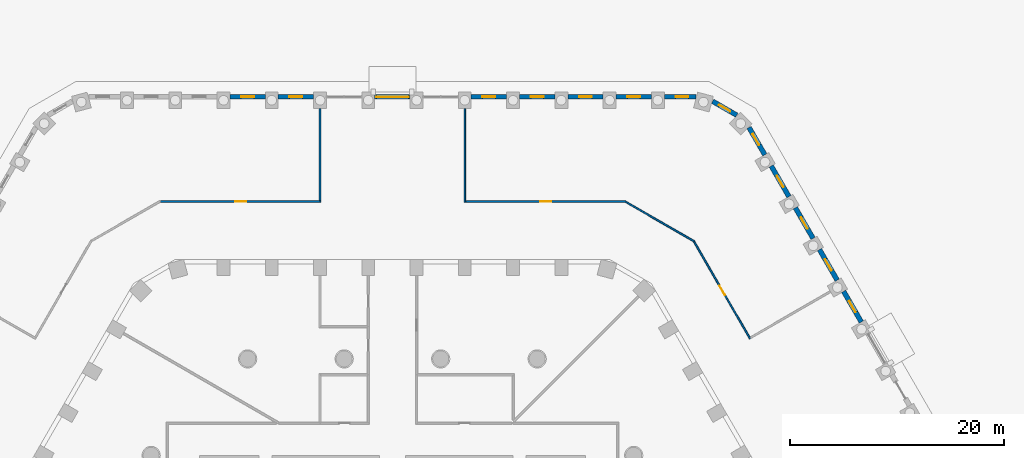
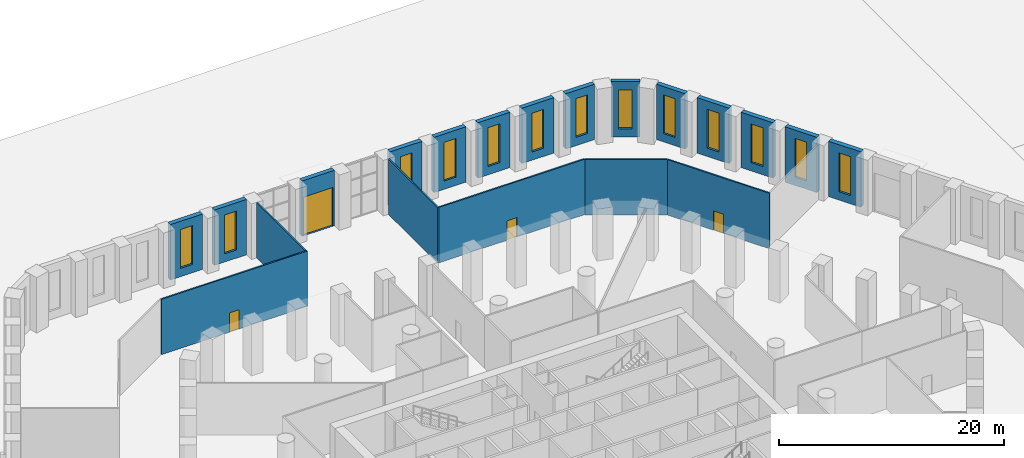
# One storey, part 23 of 44: 20 walls, 13 windows, 4 doors, 17 openings.
"""IFC4 building model written with IfcOpenShell, lengths in metres."""

from ifc_helpers import new_model, si_unit, direction, frame, frame_2d, origin, place, context, subcontext, project, spatial, rectangle, extrude, material, layer, layer_set, type_object, element, fill, save


model = new_model("IFC4")

# Units and contexts
model_context = context("Model", 3, precision=1e-05, world=origin(), true_north=direction((0.0, 1.0)))
body_context = subcontext(model_context, "Body", "Model", "MODEL_VIEW")
ifc_project = project(units=[si_unit("LENGTHUNIT", "METRE"), si_unit("AREAUNIT", "SQUARE_METRE"), si_unit("VOLUMEUNIT", "CUBIC_METRE"), si_unit("PLANEANGLEUNIT", "RADIAN"), si_unit("MASSUNIT", "GRAM", prefix="KILO")], contexts=[model_context])

# Site, building, storey
site_placement = place(None, origin())
site = spatial("IfcSite", under=ifc_project, at=site_placement, CompositionType="ELEMENT")
building_placement = place(site_placement, origin())
building = spatial("IfcBuilding", under=site, at=building_placement, Name="Dhurran Vertical Campus", CompositionType="ELEMENT")
storey_placement = place(building_placement, origin())
storey = spatial("IfcBuildingStorey", under=building, at=storey_placement, Name="L00", CompositionType="ELEMENT", Elevation=0.0)

# Wall, opening, window
ifc_material_1 = material(Name="Precast concrete C50/60", Category="concrete")
ifc_layer_1 = layer(ifc_material_1, 0.449951171875)
ifc_layer_set_1 = layer_set([ifc_layer_1], Name="Precast concrete C50/60")
wall_type_1 = type_object("IfcWallType", Name="Precast base wall 450", PredefinedType="SOLIDWALL", material=ifc_layer_set_1)
wall_1_placement = place(storey_placement, frame((43.728759765625, 25.940185546875, 0.0), z_axis=(0.0, 0.0, 1.0), x_axis=(-0.49995947208, 0.866048801325, 0.0)))
wall_1 = element("IfcWall", 1, at=wall_1_placement, inside=storey, type_object=wall_type_1, Name="EW2 L00.32", PredefinedType="SOLIDWALL", context=body_context, shape_type="SweptSolid", body=[
    extrude(rectangle(XDim=3.299072265625, YDim=0.449951171875, at=frame_2d((1.6494140625, 0.0))), origin(), (0.0, 0.0, 1.0), 6.0),
])
opening_1_placement = place(wall_1_placement, frame((1.049560546875, 0.0, 0.89990234375)))
opening_1 = element("IfcOpeningElement", 2, at=opening_1_placement, cuts=wall_1, Name="Opening WT5", PredefinedType="OPENING", context=body_context, shape_type="SweptSolid", body=[
    extrude(rectangle(XDim=1.199951171875, YDim=4.199951171875, at=frame_2d((0.60009765625, 2.10009765625))), frame((0.0, 0.23486328125, 0.0), z_axis=(0.0, -1.0, 0.0), x_axis=(1.0, 0.0, 0.0)), (0.0, 0.0, 1.0), 0.469970703125),
])
ifc_material_2 = material(Name="Aluminium frame with solar-control glass", Category="aluminium")
window_type = type_object("IfcWindowType", Name="Ring slot window 1200 x 4200", PartitioningType="SINGLE_PANEL", PredefinedType="WINDOW", material=ifc_material_2)
window_1_placement = place(opening_1_placement, origin())
window_1 = element("IfcWindow", 3, at=window_1_placement, inside=storey, type_object=window_type, Name="WT5 L00.32", OverallHeight=4.199951171875, OverallWidth=1.199951171875, PartitioningType="SINGLE_PANEL", PredefinedType="WINDOW", context=body_context, shape_type="SweptSolid", body=[
    extrude(rectangle(XDim=1.199951171875, YDim=4.199951171875, at=frame_2d((0.60009765625, 2.10009765625))), frame((0.0, 0.030029296875, 0.0), z_axis=(0.0, -1.0, 0.0), x_axis=(1.0, 0.0, 0.0)), (0.0, 0.0, 1.0), 0.06005859375),
])
fill(opening_1, window_1)

wall_2_placement = place(storey_placement, frame((41.478759765625, 29.83740234375, 0.0), z_axis=(0.0, 0.0, 1.0), x_axis=(-0.499991515992, 0.866030301974, 0.0)))
wall_2 = element("IfcWall", 4, at=wall_2_placement, inside=storey, type_object=wall_type_1, Name="EW2 L00.33", PredefinedType="SOLIDWALL", context=body_context, shape_type="SweptSolid", body=[
    extrude(rectangle(XDim=3.298828125, YDim=0.449951171875, at=frame_2d((1.6494140625, 0.0))), origin(), (0.0, 0.0, 1.0), 6.0),
])
opening_2_placement = place(wall_2_placement, frame((1.049560546875, 0.0, 0.89990234375)))
opening_2 = element("IfcOpeningElement", 5, at=opening_2_placement, cuts=wall_2, Name="Opening WT5", PredefinedType="OPENING", context=body_context, shape_type="SweptSolid", body=[
    extrude(rectangle(XDim=1.199951171875, YDim=4.199951171875, at=frame_2d((0.60009765625, 2.10009765625))), frame((0.0, 0.23486328125, 0.0), z_axis=(0.0, -1.0, 0.0), x_axis=(1.0, 0.0, 0.0)), (0.0, 0.0, 1.0), 0.469970703125),
])
window_2_placement = place(opening_2_placement, origin())
window_2 = element("IfcWindow", 6, at=window_2_placement, inside=storey, type_object=window_type, Name="WT5 L00.33", OverallHeight=4.199951171875, OverallWidth=1.199951171875, PartitioningType="SINGLE_PANEL", PredefinedType="WINDOW", context=body_context, shape_type="SweptSolid", body=[
    extrude(rectangle(XDim=1.199951171875, YDim=4.199951171875, at=frame_2d((0.60009765625, 2.10009765625))), frame((0.0, 0.030029296875, 0.0), z_axis=(0.0, -1.0, 0.0), x_axis=(1.0, 0.0, 0.0)), (0.0, 0.0, 1.0), 0.06005859375),
])
fill(opening_2, window_2)

wall_3_placement = place(storey_placement, frame((39.228759765625, 33.734619140625, 0.0), z_axis=(0.0, 0.0, 1.0), x_axis=(-0.499991515992, 0.866030301974, 0.0)))
wall_3 = element("IfcWall", 7, at=wall_3_placement, inside=storey, type_object=wall_type_1, Name="EW2 L00.34", PredefinedType="SOLIDWALL", context=body_context, shape_type="SweptSolid", body=[
    extrude(rectangle(XDim=3.298828125, YDim=0.449951171875, at=frame_2d((1.6494140625, 0.0))), origin(), (0.0, 0.0, 1.0), 6.0),
])
opening_3_placement = place(wall_3_placement, frame((1.049560546875, 0.0, 0.89990234375)))
opening_3 = element("IfcOpeningElement", 8, at=opening_3_placement, cuts=wall_3, Name="Opening WT5", PredefinedType="OPENING", context=body_context, shape_type="SweptSolid", body=[
    extrude(rectangle(XDim=1.199951171875, YDim=4.199951171875, at=frame_2d((0.60009765625, 2.10009765625))), frame((0.0, 0.23486328125, 0.0), z_axis=(0.0, -1.0, 0.0), x_axis=(1.0, 0.0, 0.0)), (0.0, 0.0, 1.0), 0.469970703125),
])
window_3_placement = place(opening_3_placement, origin())
window_3 = element("IfcWindow", 9, at=window_3_placement, inside=storey, type_object=window_type, Name="WT5 L00.34", OverallHeight=4.199951171875, OverallWidth=1.199951171875, PartitioningType="SINGLE_PANEL", PredefinedType="WINDOW", context=body_context, shape_type="SweptSolid", body=[
    extrude(rectangle(XDim=1.199951171875, YDim=4.199951171875, at=frame_2d((0.60009765625, 2.10009765625))), frame((0.0, 0.030029296875, 0.0), z_axis=(0.0, -1.0, 0.0), x_axis=(1.0, 0.0, 0.0)), (0.0, 0.0, 1.0), 0.06005859375),
])
fill(opening_3, window_3)

wall_4_placement = place(storey_placement, frame((36.978759765625, 37.631591796875, 0.0), z_axis=(0.0, 0.0, 1.0), x_axis=(-0.499991515992, 0.866030301974, 0.0)))
wall_4 = element("IfcWall", 10, at=wall_4_placement, inside=storey, type_object=wall_type_1, Name="EW2 L00.35", PredefinedType="SOLIDWALL", context=body_context, shape_type="SweptSolid", body=[
    extrude(rectangle(XDim=3.298828125, YDim=0.449951171875, at=frame_2d((1.6494140625, 0.0))), origin(), (0.0, 0.0, 1.0), 6.0),
])
opening_4_placement = place(wall_4_placement, frame((1.049560546875, 0.0, 0.89990234375)))
opening_4 = element("IfcOpeningElement", 11, at=opening_4_placement, cuts=wall_4, Name="Opening WT5", PredefinedType="OPENING", context=body_context, shape_type="SweptSolid", body=[
    extrude(rectangle(XDim=1.199951171875, YDim=4.199951171875, at=frame_2d((0.60009765625, 2.10009765625))), frame((0.0, 0.23486328125, 0.0), z_axis=(0.0, -1.0, 0.0), x_axis=(1.0, 0.0, 0.0)), (0.0, 0.0, 1.0), 0.469970703125),
])
window_4_placement = place(opening_4_placement, origin())
window_4 = element("IfcWindow", 12, at=window_4_placement, inside=storey, type_object=window_type, Name="WT5 L00.35", OverallHeight=4.199951171875, OverallWidth=1.199951171875, PartitioningType="SINGLE_PANEL", PredefinedType="WINDOW", context=body_context, shape_type="SweptSolid", body=[
    extrude(rectangle(XDim=1.199951171875, YDim=4.199951171875, at=frame_2d((0.60009765625, 2.10009765625))), frame((0.0, 0.030029296875, 0.0), z_axis=(0.0, -1.0, 0.0), x_axis=(1.0, 0.0, 0.0)), (0.0, 0.0, 1.0), 0.06005859375),
])
fill(opening_4, window_4)

wall_5_placement = place(storey_placement, frame((34.728759765625, 41.52880859375, 0.0), z_axis=(0.0, 0.0, 1.0), x_axis=(-0.500030648271, 0.866007708274, 0.0)))
wall_5 = element("IfcWall", 13, at=wall_5_placement, inside=storey, type_object=wall_type_1, Name="EW2 L00.36", PredefinedType="SOLIDWALL", context=body_context, shape_type="SweptSolid", body=[
    extrude(rectangle(XDim=2.948486328125, YDim=0.449951171875, at=frame_2d((1.47412109375, 0.0))), origin(), (0.0, 0.0, 1.0), 6.0),
])
opening_5_placement = place(wall_5_placement, frame((1.049560546875, 0.0, 0.89990234375)))
opening_5 = element("IfcOpeningElement", 14, at=opening_5_placement, cuts=wall_5, Name="Opening WT5", PredefinedType="OPENING", context=body_context, shape_type="SweptSolid", body=[
    extrude(rectangle(XDim=1.199951171875, YDim=4.199951171875, at=frame_2d((0.60009765625, 2.10009765625))), frame((0.0, 0.23486328125, 0.0), z_axis=(0.0, -1.0, 0.0), x_axis=(1.0, 0.0, 0.0)), (0.0, 0.0, 1.0), 0.469970703125),
])
window_5_placement = place(opening_5_placement, origin())
window_5 = element("IfcWindow", 15, at=window_5_placement, inside=storey, type_object=window_type, Name="WT5 L00.36", OverallHeight=4.199951171875, OverallWidth=1.199951171875, PartitioningType="SINGLE_PANEL", PredefinedType="WINDOW", context=body_context, shape_type="SweptSolid", body=[
    extrude(rectangle(XDim=1.199951171875, YDim=4.199951171875, at=frame_2d((0.60009765625, 2.10009765625))), frame((0.0, 0.030029296875, 0.0), z_axis=(0.0, -1.0, 0.0), x_axis=(1.0, 0.0, 0.0)), (0.0, 0.0, 1.0), 0.06005859375),
])
fill(opening_5, window_5)

wall_6_placement = place(storey_placement, frame((32.111083984375, 45.2255859375, 0.0), z_axis=(0.0, 0.0, 1.0), x_axis=(-0.866019710441, 0.50000986103, 0.0)))
wall_6 = element("IfcWall", 16, at=wall_6_placement, inside=storey, type_object=wall_type_1, Name="EW2 L00.37", PredefinedType="SOLIDWALL", context=body_context, shape_type="SweptSolid", body=[
    extrude(rectangle(XDim=2.59814453125, YDim=0.449951171875, at=frame_2d((1.299072265625, 0.0))), origin(), (0.0, 0.0, 1.0), 6.0),
])
opening_6_placement = place(wall_6_placement, frame((0.69921875, 0.0, 0.89990234375)))
opening_6 = element("IfcOpeningElement", 17, at=opening_6_placement, cuts=wall_6, Name="Opening WT5", PredefinedType="OPENING", context=body_context, shape_type="SweptSolid", body=[
    extrude(rectangle(XDim=1.199951171875, YDim=4.199951171875, at=frame_2d((0.60009765625, 2.10009765625))), frame((0.0, 0.23486328125, 0.0), z_axis=(0.0, -1.0, 0.0), x_axis=(1.0, 0.0, 0.0)), (0.0, 0.0, 1.0), 0.469970703125),
])
window_6_placement = place(opening_6_placement, origin())
window_6 = element("IfcWindow", 18, at=window_6_placement, inside=storey, type_object=window_type, Name="WT5 L00.37", OverallHeight=4.199951171875, OverallWidth=1.199951171875, PartitioningType="SINGLE_PANEL", PredefinedType="WINDOW", context=body_context, shape_type="SweptSolid", body=[
    extrude(rectangle(XDim=1.199951171875, YDim=4.199951171875, at=frame_2d((0.60009765625, 2.10009765625))), frame((0.0, 0.030029296875, 0.0), z_axis=(0.0, -1.0, 0.0), x_axis=(1.0, 0.0, 0.0)), (0.0, 0.0, 1.0), 0.06005859375),
])
fill(opening_6, window_6)

wall_7_placement = place(storey_placement, frame((28.299072265625, 46.943359375, 0.0), z_axis=(0.0, 0.0, 1.0), x_axis=(-1.0, 0.0, 0.0)))
wall_7 = element("IfcWall", 19, at=wall_7_placement, inside=storey, type_object=wall_type_1, Name="EW2 L00.38", PredefinedType="SOLIDWALL", context=body_context, shape_type="SweptSolid", body=[
    extrude(rectangle(XDim=2.948486328125, YDim=0.449951171875, at=frame_2d((1.47412109375, 0.0))), origin(), (0.0, 0.0, 1.0), 6.0),
])
opening_7_placement = place(wall_7_placement, frame((0.69921875, 0.0, 0.89990234375)))
opening_7 = element("IfcOpeningElement", 20, at=opening_7_placement, cuts=wall_7, Name="Opening WT5", PredefinedType="OPENING", context=body_context, shape_type="SweptSolid", body=[
    extrude(rectangle(XDim=1.199951171875, YDim=4.199951171875, at=frame_2d((0.60009765625, 2.10009765625))), frame((0.0, 0.23486328125, 0.0), z_axis=(0.0, -1.0, 0.0), x_axis=(1.0, 0.0, 0.0)), (0.0, 0.0, 1.0), 0.469970703125),
])
window_7_placement = place(opening_7_placement, origin())
window_7 = element("IfcWindow", 21, at=window_7_placement, inside=storey, type_object=window_type, Name="WT5 L00.38", OverallHeight=4.199951171875, OverallWidth=1.199951171875, PartitioningType="SINGLE_PANEL", PredefinedType="WINDOW", context=body_context, shape_type="SweptSolid", body=[
    extrude(rectangle(XDim=1.199951171875, YDim=4.199951171875, at=frame_2d((0.60009765625, 2.10009765625))), frame((0.0, 0.030029296875, 0.0), z_axis=(0.0, -1.0, 0.0), x_axis=(1.0, 0.0, 0.0)), (0.0, 0.0, 1.0), 0.06005859375),
])
fill(opening_7, window_7)

wall_8_placement = place(storey_placement, frame((24.1494140625, 46.943359375, 0.0), z_axis=(0.0, 0.0, 1.0), x_axis=(-1.0, 0.0, 0.0)))
wall_8 = element("IfcWall", 22, at=wall_8_placement, inside=storey, type_object=wall_type_1, Name="EW2 L00.39", PredefinedType="SOLIDWALL", context=body_context, shape_type="SweptSolid", body=[
    extrude(rectangle(XDim=3.298828125, YDim=0.449951171875, at=frame_2d((1.6494140625, 0.0))), origin(), (0.0, 0.0, 1.0), 6.0),
])
opening_8_placement = place(wall_8_placement, frame((1.049560546875, 0.0, 0.89990234375)))
opening_8 = element("IfcOpeningElement", 23, at=opening_8_placement, cuts=wall_8, Name="Opening WT5", PredefinedType="OPENING", context=body_context, shape_type="SweptSolid", body=[
    extrude(rectangle(XDim=1.199951171875, YDim=4.199951171875, at=frame_2d((0.60009765625, 2.10009765625))), frame((0.0, 0.23486328125, 0.0), z_axis=(0.0, -1.0, 0.0), x_axis=(1.0, 0.0, 0.0)), (0.0, 0.0, 1.0), 0.469970703125),
])
window_8_placement = place(opening_8_placement, origin())
window_8 = element("IfcWindow", 24, at=window_8_placement, inside=storey, type_object=window_type, Name="WT5 L00.39", OverallHeight=4.199951171875, OverallWidth=1.199951171875, PartitioningType="SINGLE_PANEL", PredefinedType="WINDOW", context=body_context, shape_type="SweptSolid", body=[
    extrude(rectangle(XDim=1.199951171875, YDim=4.199951171875, at=frame_2d((0.60009765625, 2.10009765625))), frame((0.0, 0.030029296875, 0.0), z_axis=(0.0, -1.0, 0.0), x_axis=(1.0, 0.0, 0.0)), (0.0, 0.0, 1.0), 0.06005859375),
])
fill(opening_8, window_8)

wall_9_placement = place(storey_placement, frame((19.6494140625, 46.943359375, 0.0), z_axis=(0.0, 0.0, 1.0), x_axis=(-1.0, 0.0, 0.0)))
wall_9 = element("IfcWall", 25, at=wall_9_placement, inside=storey, type_object=wall_type_1, Name="EW2 L00.40", PredefinedType="SOLIDWALL", context=body_context, shape_type="SweptSolid", body=[
    extrude(rectangle(XDim=3.298828125, YDim=0.449951171875, at=frame_2d((1.6494140625, 0.0))), origin(), (0.0, 0.0, 1.0), 6.0),
])
opening_9_placement = place(wall_9_placement, frame((1.049560546875, 0.0, 0.89990234375)))
opening_9 = element("IfcOpeningElement", 26, at=opening_9_placement, cuts=wall_9, Name="Opening WT5", PredefinedType="OPENING", context=body_context, shape_type="SweptSolid", body=[
    extrude(rectangle(XDim=1.199951171875, YDim=4.199951171875, at=frame_2d((0.60009765625, 2.10009765625))), frame((0.0, 0.23486328125, 0.0), z_axis=(0.0, -1.0, 0.0), x_axis=(1.0, 0.0, 0.0)), (0.0, 0.0, 1.0), 0.469970703125),
])
window_9_placement = place(opening_9_placement, origin())
window_9 = element("IfcWindow", 27, at=window_9_placement, inside=storey, type_object=window_type, Name="WT5 L00.40", OverallHeight=4.199951171875, OverallWidth=1.199951171875, PartitioningType="SINGLE_PANEL", PredefinedType="WINDOW", context=body_context, shape_type="SweptSolid", body=[
    extrude(rectangle(XDim=1.199951171875, YDim=4.199951171875, at=frame_2d((0.60009765625, 2.10009765625))), frame((0.0, 0.030029296875, 0.0), z_axis=(0.0, -1.0, 0.0), x_axis=(1.0, 0.0, 0.0)), (0.0, 0.0, 1.0), 0.06005859375),
])
fill(opening_9, window_9)

wall_10_placement = place(storey_placement, frame((15.1494140625, 46.943359375, 0.0), z_axis=(0.0, 0.0, 1.0), x_axis=(-1.0, 0.0, 0.0)))
wall_10 = element("IfcWall", 28, at=wall_10_placement, inside=storey, type_object=wall_type_1, Name="EW2 L00.41", PredefinedType="SOLIDWALL", context=body_context, shape_type="SweptSolid", body=[
    extrude(rectangle(XDim=3.298828125, YDim=0.449951171875, at=frame_2d((1.6494140625, 0.0))), origin(), (0.0, 0.0, 1.0), 6.0),
])
opening_10_placement = place(wall_10_placement, frame((1.049560546875, 0.0, 0.89990234375)))
opening_10 = element("IfcOpeningElement", 29, at=opening_10_placement, cuts=wall_10, Name="Opening WT5", PredefinedType="OPENING", context=body_context, shape_type="SweptSolid", body=[
    extrude(rectangle(XDim=1.199951171875, YDim=4.199951171875, at=frame_2d((0.60009765625, 2.10009765625))), frame((0.0, 0.23486328125, 0.0), z_axis=(0.0, -1.0, 0.0), x_axis=(1.0, 0.0, 0.0)), (0.0, 0.0, 1.0), 0.469970703125),
])
window_10_placement = place(opening_10_placement, origin())
window_10 = element("IfcWindow", 30, at=window_10_placement, inside=storey, type_object=window_type, Name="WT5 L00.41", OverallHeight=4.199951171875, OverallWidth=1.199951171875, PartitioningType="SINGLE_PANEL", PredefinedType="WINDOW", context=body_context, shape_type="SweptSolid", body=[
    extrude(rectangle(XDim=1.199951171875, YDim=4.199951171875, at=frame_2d((0.60009765625, 2.10009765625))), frame((0.0, 0.030029296875, 0.0), z_axis=(0.0, -1.0, 0.0), x_axis=(1.0, 0.0, 0.0)), (0.0, 0.0, 1.0), 0.06005859375),
])
fill(opening_10, window_10)

wall_11_placement = place(storey_placement, frame((10.6494140625, 46.943359375, 0.0), z_axis=(0.0, 0.0, 1.0), x_axis=(-1.0, 0.0, 0.0)))
wall_11 = element("IfcWall", 31, at=wall_11_placement, inside=storey, type_object=wall_type_1, Name="EW2 L00.42", PredefinedType="SOLIDWALL", context=body_context, shape_type="SweptSolid", body=[
    extrude(rectangle(XDim=3.298828125, YDim=0.449951171875, at=frame_2d((1.6494140625, 0.0))), origin(), (0.0, 0.0, 1.0), 6.0),
])
opening_11_placement = place(wall_11_placement, frame((1.049560546875, 0.0, 0.89990234375)))
opening_11 = element("IfcOpeningElement", 32, at=opening_11_placement, cuts=wall_11, Name="Opening WT5", PredefinedType="OPENING", context=body_context, shape_type="SweptSolid", body=[
    extrude(rectangle(XDim=1.199951171875, YDim=4.199951171875, at=frame_2d((0.60009765625, 2.10009765625))), frame((0.0, 0.23486328125, 0.0), z_axis=(0.0, -1.0, 0.0), x_axis=(1.0, 0.0, 0.0)), (0.0, 0.0, 1.0), 0.469970703125),
])
window_11_placement = place(opening_11_placement, origin())
window_11 = element("IfcWindow", 33, at=window_11_placement, inside=storey, type_object=window_type, Name="WT5 L00.42", OverallHeight=4.199951171875, OverallWidth=1.199951171875, PartitioningType="SINGLE_PANEL", PredefinedType="WINDOW", context=body_context, shape_type="SweptSolid", body=[
    extrude(rectangle(XDim=1.199951171875, YDim=4.199951171875, at=frame_2d((0.60009765625, 2.10009765625))), frame((0.0, 0.030029296875, 0.0), z_axis=(0.0, -1.0, 0.0), x_axis=(1.0, 0.0, 0.0)), (0.0, 0.0, 1.0), 0.06005859375),
])
fill(opening_11, window_11)

# Wall, opening, door
wall_12_placement = place(storey_placement, frame((-1.6494140625, 46.943359375, 0.0), z_axis=(0.0, 0.0, 1.0), x_axis=(1.0, 0.0, 0.0)))
wall_12 = element("IfcWall", 34, at=wall_12_placement, inside=storey, type_object=wall_type_1, Name="EW2 L00.44", PredefinedType="SOLIDWALL", context=body_context, shape_type="SweptSolid", body=[
    extrude(rectangle(XDim=3.298828125, YDim=0.449951171875, at=frame_2d((1.6494140625, 0.0))), origin(), (0.0, 0.0, 1.0), 6.0),
])
opening_12_placement = place(wall_12_placement, frame((0.1494140625, 0.0, 0.0)))
opening_12 = element("IfcOpeningElement", 35, at=opening_12_placement, cuts=wall_12, Name="Opening D004", PredefinedType="OPENING", context=body_context, shape_type="SweptSolid", body=[
    extrude(rectangle(XDim=3.0, YDim=4.199951171875, at=frame_2d((1.5, 2.10009765625))), frame((0.0, 0.23486328125, 0.0), z_axis=(0.0, -1.0, 0.0), x_axis=(1.0, 0.0, 0.0)), (0.0, 0.0, 1.0), 0.469970703125),
])
ifc_material_3 = material(Name="Aluminium and clear glass", Category="aluminium")
door_type_1 = type_object("IfcDoorType", Name="Aluminium and glass entrance portal door pair 3000 x 4200", OperationType="DOUBLE_DOOR_SINGLE_SWING", PredefinedType="DOOR", material=ifc_material_3)
door_1_placement = place(opening_12_placement, origin())
door_1 = element("IfcDoor", 36, at=door_1_placement, inside=storey, type_object=door_type_1, Name="D004 library entrance", OperationType="DOUBLE_DOOR_SINGLE_SWING", OverallHeight=4.199951171875, OverallWidth=3.0, PredefinedType="DOOR", context=body_context, shape_type="SweptSolid", body=[
    extrude(rectangle(XDim=3.0, YDim=4.199951171875, at=frame_2d((1.5, 2.10009765625))), frame((0.0, 0.02490234375, 0.0), z_axis=(0.0, -1.0, 0.0), x_axis=(1.0, 0.0, 0.0)), (0.0, 0.0, 1.0), 0.050048828125),
])
fill(opening_12, door_1)

# Wall, opening, window
wall_13_placement = place(storey_placement, frame((-7.3505859375, 46.943359375, 0.0), z_axis=(0.0, 0.0, 1.0), x_axis=(-1.0, 0.0, 0.0)))
wall_13 = element("IfcWall", 37, at=wall_13_placement, inside=storey, type_object=wall_type_1, Name="EW2 L00.46", PredefinedType="SOLIDWALL", context=body_context, shape_type="SweptSolid", body=[
    extrude(rectangle(XDim=3.298828125, YDim=0.449951171875, at=frame_2d((1.6494140625, 0.0))), origin(), (0.0, 0.0, 1.0), 6.0),
])
opening_13_placement = place(wall_13_placement, frame((1.049560546875, 0.0, 0.89990234375)))
opening_13 = element("IfcOpeningElement", 38, at=opening_13_placement, cuts=wall_13, Name="Opening WT5", PredefinedType="OPENING", context=body_context, shape_type="SweptSolid", body=[
    extrude(rectangle(XDim=1.199951171875, YDim=4.199951171875, at=frame_2d((0.60009765625, 2.10009765625))), frame((0.0, 0.23486328125, 0.0), z_axis=(0.0, -1.0, 0.0), x_axis=(1.0, 0.0, 0.0)), (0.0, 0.0, 1.0), 0.469970703125),
])
window_12_placement = place(opening_13_placement, origin())
window_12 = element("IfcWindow", 39, at=window_12_placement, inside=storey, type_object=window_type, Name="WT5 L00.46", OverallHeight=4.199951171875, OverallWidth=1.199951171875, PartitioningType="SINGLE_PANEL", PredefinedType="WINDOW", context=body_context, shape_type="SweptSolid", body=[
    extrude(rectangle(XDim=1.199951171875, YDim=4.199951171875, at=frame_2d((0.60009765625, 2.10009765625))), frame((0.0, 0.030029296875, 0.0), z_axis=(0.0, -1.0, 0.0), x_axis=(1.0, 0.0, 0.0)), (0.0, 0.0, 1.0), 0.06005859375),
])
fill(opening_13, window_12)

wall_14_placement = place(storey_placement, frame((-11.8505859375, 46.943359375, 0.0), z_axis=(0.0, 0.0, 1.0), x_axis=(-1.0, 0.0, 0.0)))
wall_14 = element("IfcWall", 40, at=wall_14_placement, inside=storey, type_object=wall_type_1, Name="EW2 L00.47", PredefinedType="SOLIDWALL", context=body_context, shape_type="SweptSolid", body=[
    extrude(rectangle(XDim=3.298828125, YDim=0.449951171875, at=frame_2d((1.6494140625, 0.0))), origin(), (0.0, 0.0, 1.0), 6.0),
])
opening_14_placement = place(wall_14_placement, frame((1.049560546875, 0.0, 0.89990234375)))
opening_14 = element("IfcOpeningElement", 41, at=opening_14_placement, cuts=wall_14, Name="Opening WT5", PredefinedType="OPENING", context=body_context, shape_type="SweptSolid", body=[
    extrude(rectangle(XDim=1.199951171875, YDim=4.199951171875, at=frame_2d((0.60009765625, 2.10009765625))), frame((0.0, 0.23486328125, 0.0), z_axis=(0.0, -1.0, 0.0), x_axis=(1.0, 0.0, 0.0)), (0.0, 0.0, 1.0), 0.469970703125),
])
window_13_placement = place(opening_14_placement, origin())
window_13 = element("IfcWindow", 42, at=window_13_placement, inside=storey, type_object=window_type, Name="WT5 L00.47", OverallHeight=4.199951171875, OverallWidth=1.199951171875, PartitioningType="SINGLE_PANEL", PredefinedType="WINDOW", context=body_context, shape_type="SweptSolid", body=[
    extrude(rectangle(XDim=1.199951171875, YDim=4.199951171875, at=frame_2d((0.60009765625, 2.10009765625))), frame((0.0, 0.030029296875, 0.0), z_axis=(0.0, -1.0, 0.0), x_axis=(1.0, 0.0, 0.0)), (0.0, 0.0, 1.0), 0.06005859375),
])
fill(opening_14, window_13)

# Wall, opening, door
ifc_material_4 = material(Name="Gypsum board corridor wall on steel studs", Category="steel")
ifc_layer_2 = layer(ifc_material_4, 0.14990234375)
ifc_layer_set_2 = layer_set([ifc_layer_2], Name="Gypsum board corridor wall on steel studs")
wall_type_2 = type_object("IfcWallType", Name="fl-CW-150 corridor wall", PredefinedType="PARTITIONING", material=ifc_layer_set_2)
wall_15_placement = place(storey_placement, frame((-21.6220703125, 37.179931640625, 0.0), z_axis=(0.0, 0.0, 1.0), x_axis=(1.0, 0.0, 0.0)))
wall_15 = element("IfcWall", 43, at=wall_15_placement, inside=storey, type_object=wall_type_2, Name="Partition 00-22", PredefinedType="PARTITIONING", context=body_context, shape_type="SweptSolid", body=[
    extrude(rectangle(XDim=14.947021484375, YDim=0.14990234375, at=frame_2d((7.4736328125, 0.0))), origin(), (0.0, 0.0, 1.0), 6.0),
])
opening_15_placement = place(wall_15_placement, frame((6.973388671875, 0.0, 0.0)))
opening_15 = element("IfcOpeningElement", 44, at=opening_15_placement, cuts=wall_15, Name="Opening PD00.09", PredefinedType="OPENING", context=body_context, shape_type="SweptSolid", body=[
    extrude(rectangle(XDim=1.0, YDim=2.10009765625, at=frame_2d((0.5, 1.050048828125))), frame((0.0, 0.0849609375, 0.0), z_axis=(0.0, -1.0, 0.0), x_axis=(1.0, 0.0, 0.0)), (0.0, 0.0, 1.0), 0.169921875),
])
ifc_material_5 = material(Name="Solid-core timber door set, fire-rated", Category="wood")
door_type_2 = type_object("IfcDoorType", Name="fl-D-1000x2100", OperationType="SINGLE_SWING_LEFT", PredefinedType="DOOR", material=ifc_material_5)
door_2_placement = place(opening_15_placement, origin())
door_2 = element("IfcDoor", 45, at=door_2_placement, inside=storey, type_object=door_type_2, Name="Door 00.09", OperationType="SINGLE_SWING_RIGHT", OverallHeight=2.10009765625, OverallWidth=1.0, PredefinedType="DOOR", context=body_context, shape_type="SweptSolid", body=[
    extrude(rectangle(XDim=1.0, YDim=2.10009765625, at=frame_2d((0.5, 1.050048828125))), frame((0.0, 0.02490234375, 0.0), z_axis=(0.0, -1.0, 0.0), x_axis=(1.0, 0.0, 0.0)), (0.0, 0.0, 1.0), 0.050048828125),
])
fill(opening_15, door_2)

# Walls
wall_16_placement = place(storey_placement, frame((-6.75, 37.2548828125, 0.0), z_axis=(0.0, 0.0, 1.0), x_axis=(0.0, 1.0, 0.0)))
element("IfcWall", 46, at=wall_16_placement, inside=storey, type_object=wall_type_2, Name="Partition 00-38", PredefinedType="PARTITIONING", context=body_context, shape_type="SweptSolid", body=[
    extrude(rectangle(XDim=8.593505859375, YDim=0.14990234375, at=frame_2d((4.296875, 0.0))), origin(), (0.0, 0.0, 1.0), 6.0),
])
wall_17_placement = place(storey_placement, frame((6.75, 45.848388671875, 0.0), z_axis=(0.0, 0.0, 1.0), x_axis=(0.0, -1.0, 0.0)))
element("IfcWall", 47, at=wall_17_placement, inside=storey, type_object=wall_type_2, Name="Partition 00-54", PredefinedType="PARTITIONING", context=body_context, shape_type="SweptSolid", body=[
    extrude(rectangle(XDim=8.743408203125, YDim=0.14990234375, at=frame_2d((4.37158203125, 0.0))), origin(), (0.0, 0.0, 1.0), 6.0),
])

# Wall, opening, door
wall_18_placement = place(storey_placement, frame((6.824951171875, 37.179931640625, 0.0), z_axis=(0.0, 0.0, 1.0), x_axis=(1.0, 0.0, 0.0)))
wall_18 = element("IfcWall", 48, at=wall_18_placement, inside=storey, type_object=wall_type_2, Name="Partition 00-55", PredefinedType="PARTITIONING", context=body_context, shape_type="SweptSolid", body=[
    extrude(rectangle(XDim=14.947021484375, YDim=0.14990234375, at=frame_2d((7.4736328125, 0.0))), origin(), (0.0, 0.0, 1.0), 6.0),
])
opening_16_placement = place(wall_18_placement, frame((6.973388671875, 0.0, 0.0)))
opening_16 = element("IfcOpeningElement", 49, at=opening_16_placement, cuts=wall_18, Name="Opening PD00.07", PredefinedType="OPENING", context=body_context, shape_type="SweptSolid", body=[
    extrude(rectangle(XDim=1.0, YDim=2.10009765625, at=frame_2d((0.5, 1.050048828125))), frame((0.0, 0.0849609375, 0.0), z_axis=(0.0, -1.0, 0.0), x_axis=(1.0, 0.0, 0.0)), (0.0, 0.0, 1.0), 0.169921875),
])
door_3_placement = place(opening_16_placement, origin())
door_3 = element("IfcDoor", 50, at=door_3_placement, inside=storey, type_object=door_type_2, Name="Door 00.07", OperationType="SINGLE_SWING_RIGHT", OverallHeight=2.10009765625, OverallWidth=1.0, PredefinedType="DOOR", context=body_context, shape_type="SweptSolid", body=[
    extrude(rectangle(XDim=1.0, YDim=2.10009765625, at=frame_2d((0.5, 1.050048828125))), frame((0.0, 0.02490234375, 0.0), z_axis=(0.0, -1.0, 0.0), x_axis=(1.0, 0.0, 0.0)), (0.0, 0.0, 1.0), 0.050048828125),
])
fill(opening_16, door_3)

# Wall
wall_19_placement = place(storey_placement, frame((21.78369140625, 37.1298828125, 0.0), z_axis=(0.0, 0.0, 1.0), x_axis=(0.866011067739, -0.500024829938, 0.0)))
element("IfcWall", 51, at=wall_19_placement, inside=storey, type_object=wall_type_2, Name="Partition 00-67", PredefinedType="PARTITIONING", context=body_context, shape_type="SweptSolid", body=[
    extrude(rectangle(XDim=7.338623046875, YDim=0.14990234375, at=frame_2d((3.66943359375, 0.0))), origin(), (0.0, 0.0, 1.0), 6.0),
])

# Wall, opening, door
wall_20_placement = place(storey_placement, frame((28.137451171875, 33.418212890625, 0.0), z_axis=(0.0, 0.0, 1.0), x_axis=(0.500054877109, -0.865993718152, 0.0)))
wall_20 = element("IfcWall", 52, at=wall_20_placement, inside=storey, type_object=wall_type_2, Name="Partition 00-69", PredefinedType="PARTITIONING", context=body_context, shape_type="SweptSolid", body=[
    extrude(rectangle(XDim=10.447021484375, YDim=0.14990234375, at=frame_2d((5.2236328125, 0.0))), origin(), (0.0, 0.0, 1.0), 6.0),
])
opening_17_placement = place(wall_20_placement, frame((4.723388671875, 0.0, 0.0)))
opening_17 = element("IfcOpeningElement", 53, at=opening_17_placement, cuts=wall_20, Name="Opening PD00.08", PredefinedType="OPENING", context=body_context, shape_type="SweptSolid", body=[
    extrude(rectangle(XDim=1.0, YDim=2.10009765625, at=frame_2d((0.5, 1.050048828125))), frame((0.0, 0.0849609375, 0.0), z_axis=(0.0, -1.0, 0.0), x_axis=(1.0, 0.0, 0.0)), (0.0, 0.0, 1.0), 0.169921875),
])
door_4_placement = place(opening_17_placement, origin())
door_4 = element("IfcDoor", 54, at=door_4_placement, inside=storey, type_object=door_type_2, Name="Door 00.08", OperationType="SINGLE_SWING_LEFT", OverallHeight=2.10009765625, OverallWidth=1.0, PredefinedType="DOOR", context=body_context, shape_type="SweptSolid", body=[
    extrude(rectangle(XDim=1.0, YDim=2.10009765625, at=frame_2d((0.5, 1.050048828125))), frame((0.0, 0.02490234375, 0.0), z_axis=(0.0, -1.0, 0.0), x_axis=(1.0, 0.0, 0.0)), (0.0, 0.0, 1.0), 0.050048828125),
])
fill(opening_17, door_4)

save(model, "model.ifc")
